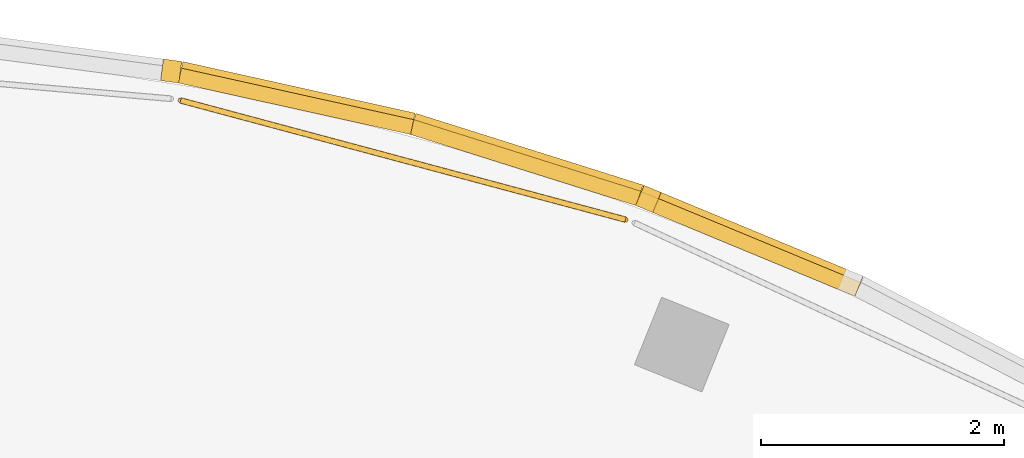
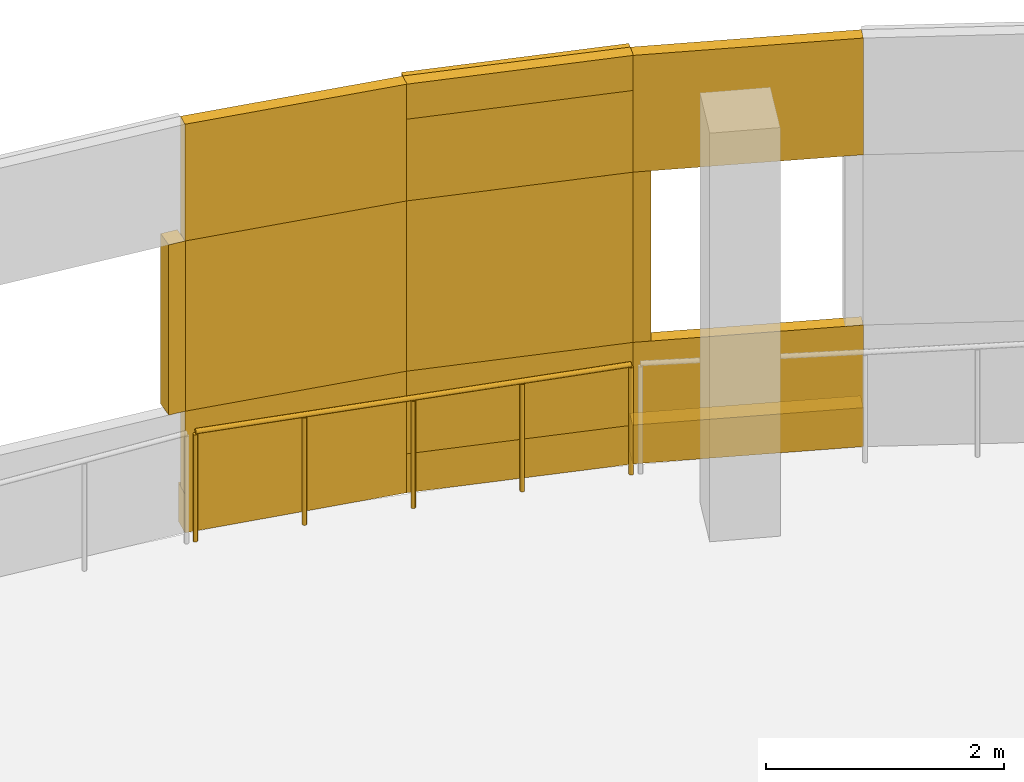
# One storey, part 135 of 140: 14 coverings, 1 railing.
"""IFC4 building model written with IfcOpenShell, lengths in metres."""

from ifc_helpers import new_model, si_unit, direction, frame, origin, origin_2d, place, context, subcontext, project, spatial, rectangle, circle, extrude, material, layer, layer_set, type_object, element, save


model = new_model("IFC4")

# Units and contexts
model_context = context("Model", 3, precision=1e-05, world=origin(), true_north=direction((0.0, 1.0)))
body_context = subcontext(model_context, "Body", "Model", "MODEL_VIEW")
ifc_project = project(units=[si_unit("LENGTHUNIT", "METRE"), si_unit("AREAUNIT", "SQUARE_METRE"), si_unit("VOLUMEUNIT", "CUBIC_METRE"), si_unit("PLANEANGLEUNIT", "RADIAN"), si_unit("MASSUNIT", "GRAM", prefix="KILO")], contexts=[model_context])

# Site, building, storey
site_placement = place(None, origin())
site = spatial("IfcSite", under=ifc_project, at=site_placement, CompositionType="ELEMENT")
building_placement = place(site_placement, origin())
building = spatial("IfcBuilding", under=site, at=building_placement, Name="Deido Ridge Mobility Hub", CompositionType="ELEMENT")
storey_placement = place(building_placement, origin())
storey = spatial("IfcBuildingStorey", under=building, at=storey_placement, Name="L00", CompositionType="ELEMENT", Elevation=0.0)

# Coverings
ifc_material_1 = material(Name="Fired clay brick masonry", Category="masonry")
ifc_layer = layer(ifc_material_1, 0.114990234375, Name="Fired clay brick masonry")
ifc_layer_set = layer_set([ifc_layer], Name="Fired clay brick masonry")
covering_type = type_object("IfcCoveringType", Name="COV-BRK-SCREEN-115", PredefinedType="CLADDING", material=ifc_layer_set)
covering_1_placement = place(storey_placement, frame((125.58203125, 124.218994140625, 0.0), z_axis=(0.0, 0.0, 1.0), x_axis=(-0.923872853285, 0.382699557047, 0.0)))
element("IfcCovering", 1, at=covering_1_placement, inside=storey, type_object=covering_type, Name="Open brickwork spandrel course BKS1 (L00)", PredefinedType="CLADDING", context=body_context, shape_type="SweptSolid", body=[
    extrude(rectangle(XDim=1.9619140625, YDim=0.125, at=origin_2d()), origin(), (0.0, 0.0, 1.0), 1.25),
])
covering_2_placement = place(storey_placement, frame((125.5927734375, 124.244384765625, 0.0), z_axis=(0.0, 0.0, 1.0), x_axis=(-0.923872853285, 0.382699557047, 0.0)))
element("IfcCovering", 2, at=covering_2_placement, inside=storey, type_object=covering_type, Name="Raised brick relief belt BKS1 (L00)", PredefinedType="CLADDING", context=body_context, shape_type="SweptSolid", body=[
    extrude(rectangle(XDim=1.9619140625, YDim=0.179931640625, at=origin_2d()), origin(), (0.0, 0.0, 1.0), 0.39990234375),
])
covering_3_placement = place(storey_placement, frame((125.58203125, 124.218994140625, 3.0), z_axis=(0.0, 0.0, 1.0), x_axis=(-0.923872853285, 0.382699557047, 0.0)))
element("IfcCovering", 3, at=covering_3_placement, inside=storey, type_object=covering_type, Name="Open brickwork lintel course BKS1 (L00)", PredefinedType="CLADDING", context=body_context, shape_type="SweptSolid", body=[
    extrude(rectangle(XDim=1.9619140625, YDim=0.125, at=origin_2d()), origin(), (0.0, 0.0, 1.0), 1.199951171875),
])
covering_4_placement = place(storey_placement, frame((124.76025390625, 124.58935546875, 1.25), z_axis=(0.0, 0.0, 1.0), x_axis=(-0.923872853285, 0.382699557047, 0.0)))
element("IfcCovering", 4, at=covering_4_placement, inside=storey, type_object=covering_type, Name="Curved brick jamb nib BKS1 (L00)", PredefinedType="CLADDING", context=body_context, shape_type="SweptSolid", body=[
    extrude(rectangle(XDim=0.152099609375, YDim=0.179931640625, at=origin_2d()), origin(), (0.0, 0.0, 1.0), 1.75),
])
covering_5_placement = place(storey_placement, frame((123.74365234375, 124.88818359375, 0.0), z_axis=(0.0, 0.0, 1.0), x_axis=(-0.95372744678, 0.300672508319, 0.0)))
element("IfcCovering", 5, at=covering_5_placement, inside=storey, type_object=covering_type, Name="Open brickwork spandrel course BKS1 (L00)", PredefinedType="CLADDING", context=body_context, shape_type="SweptSolid", body=[
    extrude(rectangle(XDim=1.9619140625, YDim=0.125, at=origin_2d()), origin(), (0.0, 0.0, 1.0), 1.25),
])
covering_6_placement = place(storey_placement, frame((123.751953125, 124.914306640625, 0.0), z_axis=(0.0, 0.0, 1.0), x_axis=(-0.95372744678, 0.300672508319, 0.0)))
element("IfcCovering", 6, at=covering_6_placement, inside=storey, type_object=covering_type, Name="Raised brick relief belt BKS1 (L00)", PredefinedType="CLADDING", context=body_context, shape_type="SweptSolid", body=[
    extrude(rectangle(XDim=1.9619140625, YDim=0.179931640625, at=origin_2d()), origin(), (0.0, 0.0, 1.0), 0.39990234375),
])
covering_7_placement = place(storey_placement, frame((123.74365234375, 124.88818359375, 3.0), z_axis=(0.0, 0.0, 1.0), x_axis=(-0.95372744678, 0.300672508319, 0.0)))
element("IfcCovering", 7, at=covering_7_placement, inside=storey, type_object=covering_type, Name="Open brickwork lintel course BKS1 (L00)", PredefinedType="CLADDING", context=body_context, shape_type="SweptSolid", body=[
    extrude(rectangle(XDim=1.9619140625, YDim=0.125, at=origin_2d()), origin(), (0.0, 0.0, 1.0), 1.199951171875),
])
covering_8_placement = place(storey_placement, frame((123.751953125, 124.914306640625, 3.83984375), z_axis=(0.0, 0.0, 1.0), x_axis=(-0.95372744678, 0.300672508319, 0.0)))
element("IfcCovering", 8, at=covering_8_placement, inside=storey, type_object=covering_type, Name="Raised brick relief cornice BKS1 (L00)", PredefinedType="CLADDING", context=body_context, shape_type="SweptSolid", body=[
    extrude(rectangle(XDim=1.9619140625, YDim=0.179931640625, at=origin_2d()), origin(), (0.0, 0.0, 1.0), 0.360107421875),
])
covering_9_placement = place(storey_placement, frame((123.751953125, 124.914306640625, 1.25), z_axis=(0.0, 0.0, 1.0), x_axis=(-0.95372744678, 0.300672508319, 0.0)))
element("IfcCovering", 9, at=covering_9_placement, inside=storey, type_object=covering_type, Name="Curved raised brickwork pier BKS1 (L00)", PredefinedType="CLADDING", context=body_context, shape_type="SweptSolid", body=[
    extrude(rectangle(XDim=1.9619140625, YDim=0.179931640625, at=origin_2d()), origin(), (0.0, 0.0, 1.0), 1.75),
])
covering_10_placement = place(storey_placement, frame((121.85400390625, 125.39453125, 0.0), z_axis=(0.0, 0.0, 1.0), x_axis=(-0.976292229387, 0.216456653485, 0.0)))
element("IfcCovering", 10, at=covering_10_placement, inside=storey, type_object=covering_type, Name="Open brickwork spandrel course BKS1 (L00)", PredefinedType="CLADDING", context=body_context, shape_type="SweptSolid", body=[
    extrude(rectangle(XDim=1.9619140625, YDim=0.125, at=origin_2d()), origin(), (0.0, 0.0, 1.0), 1.25),
])
covering_11_placement = place(storey_placement, frame((121.85986328125, 125.42138671875, 0.0), z_axis=(0.0, 0.0, 1.0), x_axis=(-0.976292229387, 0.216456653485, 0.0)))
element("IfcCovering", 11, at=covering_11_placement, inside=storey, type_object=covering_type, Name="Raised brick relief belt BKS1 (L00)", PredefinedType="CLADDING", context=body_context, shape_type="SweptSolid", body=[
    extrude(rectangle(XDim=1.9619140625, YDim=0.179931640625, at=origin_2d()), origin(), (0.0, 0.0, 1.0), 0.39990234375),
])
covering_12_placement = place(storey_placement, frame((121.85400390625, 125.39453125, 3.0), z_axis=(0.0, 0.0, 1.0), x_axis=(-0.976292229387, 0.216456653485, 0.0)))
element("IfcCovering", 12, at=covering_12_placement, inside=storey, type_object=covering_type, Name="Open brickwork lintel course BKS1 (L00)", PredefinedType="CLADDING", context=body_context, shape_type="SweptSolid", body=[
    extrude(rectangle(XDim=1.9619140625, YDim=0.125, at=origin_2d()), origin(), (0.0, 0.0, 1.0), 1.199951171875),
])
covering_13_placement = place(storey_placement, frame((121.85400390625, 125.39453125, 1.25), z_axis=(0.0, 0.0, 1.0), x_axis=(-0.976292229387, 0.216456653485, 0.0)))
element("IfcCovering", 13, at=covering_13_placement, inside=storey, type_object=covering_type, Name="Curved raised brickwork pier BKS1 (L00)", PredefinedType="CLADDING", context=body_context, shape_type="SweptSolid", body=[
    extrude(rectangle(XDim=1.9619140625, YDim=0.125, at=origin_2d()), origin(), (0.0, 0.0, 1.0), 1.75),
])
covering_14_placement = place(storey_placement, frame((120.82421875, 125.64404296875, 1.25), z_axis=(0.0, 0.0, 1.0), x_axis=(-0.991442583111, 0.130543496177, 0.0)))
element("IfcCovering", 14, at=covering_14_placement, inside=storey, type_object=covering_type, Name="Curved brick jamb nib BKS1 (L00)", PredefinedType="CLADDING", context=body_context, shape_type="SweptSolid", body=[
    extrude(rectangle(XDim=0.152099609375, YDim=0.179931640625, at=origin_2d()), origin(), (0.0, 0.0, 1.0), 1.75),
])

# Railing
ifc_material_2 = material(Name="Galvanised steel work", Category="steel")
railing_type = type_object("IfcRailingType", Name="RL-GRD-EXT-1150", PredefinedType="GUARDRAIL", material=ifc_material_2)
railing_placement = place(storey_placement, frame((124.5712890625, 124.418701171875, 0.0)))
element("IfcRailing", 15, at=railing_placement, inside=storey, type_object=railing_type, Name="Parking drum perimeter guard (L00)", PredefinedType="GUARDRAIL", context=body_context, shape_type="SweptSolid", body=[
    extrude(circle(Radius=0.02392578125, at=origin_2d()), frame((0.0, 0.0, 1.1259765625), z_axis=(-0.965937723757, 0.258774639064, 0.0), x_axis=(-0.258774639064, -0.965937723757, 0.0)), (0.0, 0.0, 1.0), 3.79833984375),
    extrude(circle(Radius=0.02099609375, at=origin_2d()), origin(), (0.0, 0.0, 1.0), 1.101806640625),
    extrude(circle(Radius=0.02099609375, at=origin_2d()), frame((-0.917236328125, 0.24560546875, 0.0)), (0.0, 0.0, 1.0), 1.101806640625),
    extrude(circle(Radius=0.02099609375, at=origin_2d()), frame((-1.83447265625, 0.491455078125, 0.0)), (0.0, 0.0, 1.0), 1.101806640625),
    extrude(circle(Radius=0.02099609375, at=origin_2d()), frame((-2.751708984375, 0.7373046875, 0.0)), (0.0, 0.0, 1.0), 1.101806640625),
    extrude(circle(Radius=0.02099609375, at=origin_2d()), frame((-3.6689453125, 0.98291015625, 0.0)), (0.0, 0.0, 1.0), 1.101806640625),
])

save(model, "model.ifc")
